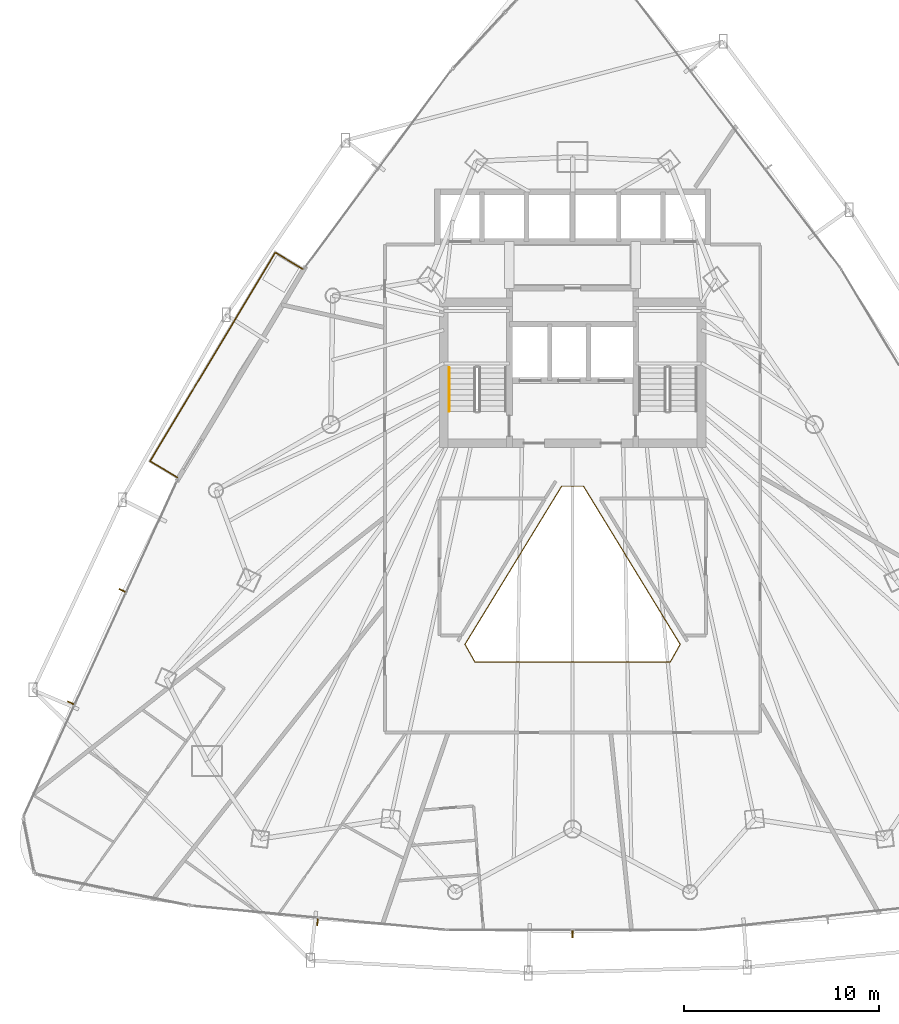
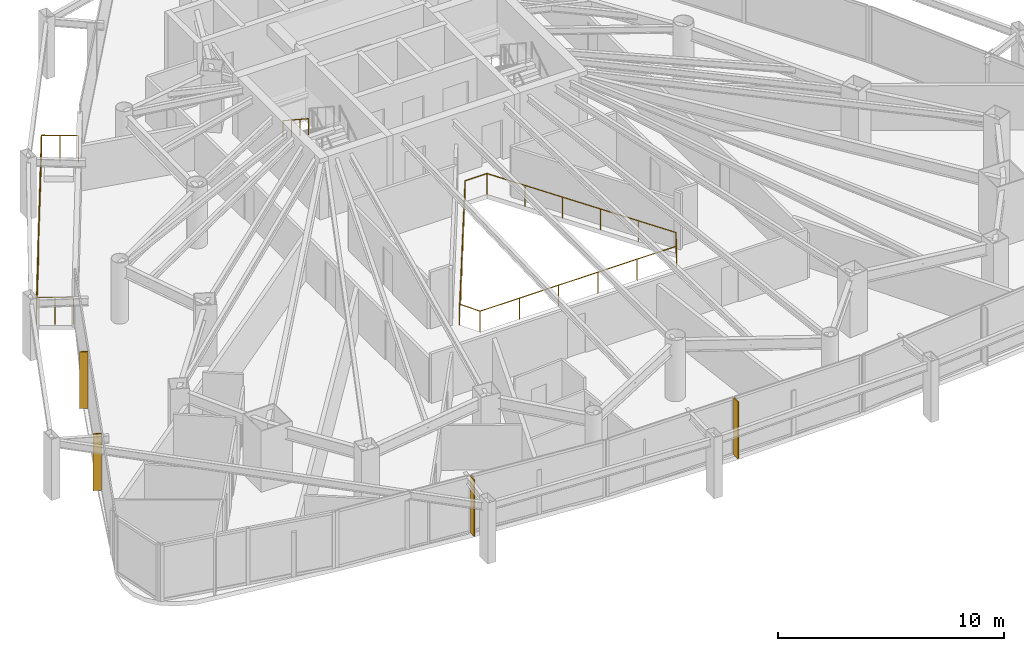
# One storey, part 34 of 37: 4 shading devices, 3 railings.
"""IFC4 building model written with IfcOpenShell, lengths in metres."""

from ifc_helpers import new_model, si_unit, direction, frame, origin, origin_2d, place, context, subcontext, project, spatial, rectangle, circle, extrude, material, layer, layer_set, type_object, element, save


model = new_model("IFC4")

# Units and contexts
model_context = context("Model", 3, precision=1e-05, world=origin(), true_north=direction((0.0, 1.0)))
body_context = subcontext(model_context, "Body", "Model", "MODEL_VIEW")
ifc_project = project(units=[si_unit("LENGTHUNIT", "METRE"), si_unit("AREAUNIT", "SQUARE_METRE"), si_unit("VOLUMEUNIT", "CUBIC_METRE"), si_unit("PLANEANGLEUNIT", "RADIAN"), si_unit("MASSUNIT", "GRAM", prefix="KILO")], contexts=[model_context])

# Site, building, storey
site_placement = place(None, origin())
site = spatial("IfcSite", under=ifc_project, at=site_placement, CompositionType="ELEMENT")
building_placement = place(site_placement, origin())
building = spatial("IfcBuilding", under=site, at=building_placement, Name="Orvanel Arch Residences", CompositionType="ELEMENT")
storey_placement = place(building_placement, frame((0.0, 0.0, 53.300048828125)))
storey = spatial("IfcBuildingStorey", under=building, at=storey_placement, Name="L14", CompositionType="ELEMENT", Elevation=53.300048828125)

# Shading devices
ifc_material_1 = material(Name="Bronze-anodised aluminium AA6063-T6", Category="aluminium")
ifc_layer = layer(ifc_material_1, 0.06005859375)
ifc_layer_set = layer_set([ifc_layer], Name="Bronze-anodised aluminium AA6063-T6")
shading_device_type = type_object("IfcShadingDeviceType", Name="FIN-BRZ-380", PredefinedType="USERDEFINED", material=ifc_layer_set)
for number, where, z_axis, x_axis, name in (
    (1, (9.85009765625, 19.111083984375, 0.0), (0.0, 0.0, 1.0), (-0.909236109047, 0.41628079226, 0.0), "L14 Anodised Bronze Mullion FIN 01"),
    (2, (7.2041015625, 13.3291015625, 0.0), (0.0, 0.0, 1.0), (-0.909236109047, 0.41628079226, 0.0), "L14 Anodised Bronze Mullion FIN 02"),
    (3, (19.888916015625, 2.06494140625, 0.0), (0.0, 0.0, 1.0), (-0.094108313319, -0.995561964603, 0.0), "L14 Anodised Bronze Mullion FIN 01"),
    (4, (33.0, 1.443115234375, 0.0), (0.0, 0.0, 1.0), (0.0, -1.0, 0.0), "L14 Anodised Bronze Mullion FIN 01"),
):
    element("IfcShadingDevice", number, at=place(storey_placement, frame(where, z_axis=z_axis, x_axis=x_axis)), inside=storey, type_object=shading_device_type, Name=name, ObjectType="FIN", PredefinedType="USERDEFINED", context=body_context, shape_type="SweptSolid", body=[
        extrude(rectangle(XDim=0.3798828125, YDim=0.06005859375, at=origin_2d()), origin(), (0.0, 0.0, 1.0), 3.06005859375),
    ])

# Railings
railing_type_1 = type_object("IfcRailingType", Name="RL-ATR-1150", PredefinedType="BALUSTRADE", material=ifc_material_1)
railing_1_placement = place(storey_placement, frame((33.56005859375, 24.470947265625, 0.0)))
element("IfcRailing", 5, at=railing_1_placement, inside=storey, type_object=railing_type_1, Name="L14 Atrium Void Protective Balustrade", PredefinedType="BALUSTRADE", context=body_context, shape_type="SweptSolid", body=[
    extrude(circle(Radius=0.02392578125, at=origin_2d()), frame((-0.00146484375, 0.0, 1.1259765625), z_axis=(-1.0, 0.0, 0.0), x_axis=(0.0, -1.0, 0.0)), (0.0, 0.0, 1.0), 1.1171875),
    extrude(circle(Radius=0.02392578125, at=origin_2d()), frame((-1.120849609375, -0.001220703125, 1.1259765625), z_axis=(-0.521597201644, -0.853191865431, 0.0), x_axis=(0.853191865431, -0.521597201644, 0.0)), (0.0, 0.0, 1.0), 9.5234375),
    extrude(circle(Radius=0.02392578125, at=origin_2d()), frame((-6.08837890625, -8.129150390625, 1.1259765625), z_axis=(0.489070015854, -0.8722445297, 0.0), x_axis=(0.8722445297, 0.489070015854, 0.0)), (0.0, 0.0, 1.0), 1.04833984375),
    extrude(circle(Radius=0.02392578125, at=origin_2d()), frame((-5.573486328125, -9.044921875, 1.1259765625), z_axis=(1.0, 0.0, 0.0), x_axis=(0.0, 1.0, 0.0)), (0.0, 0.0, 1.0), 10.02685546875),
    extrude(circle(Radius=0.02392578125, at=origin_2d()), frame((4.45556640625, -9.043701171875, 1.1259765625), z_axis=(0.489070015854, 0.8722445297, 0.0), x_axis=(-0.8722445297, 0.489070015854, 0.0)), (0.0, 0.0, 1.0), 1.04833984375),
    extrude(circle(Radius=0.02392578125, at=origin_2d()), frame((4.96826171875, -8.126708984375, 1.1259765625), z_axis=(-0.521597201644, 0.853191865431, 0.0), x_axis=(-0.853191865431, -0.521597201644, 0.0)), (0.0, 0.0, 1.0), 9.5234375),
    extrude(circle(Radius=0.02099609375, at=origin_2d()), origin(), (0.0, 0.0, 1.0), 1.099853515625),
    extrude(circle(Radius=0.02099609375, at=origin_2d()), frame((-1.1201171875, 0.0, 0.0)), (0.0, 0.0, 1.0), 1.099853515625),
    extrude(circle(Radius=0.02099609375, at=origin_2d()), frame((-2.114013671875, -1.62548828125, 0.0)), (0.0, 0.0, 1.0), 1.099853515625),
    extrude(circle(Radius=0.02099609375, at=origin_2d()), frame((-3.107666015625, -3.251220703125, 0.0)), (0.0, 0.0, 1.0), 1.099853515625),
    extrude(circle(Radius=0.02099609375, at=origin_2d()), frame((-4.1015625, -4.876708984375, 0.0)), (0.0, 0.0, 1.0), 1.099853515625),
    extrude(circle(Radius=0.02099609375, at=origin_2d()), frame((-5.09521484375, -6.50244140625, 0.0)), (0.0, 0.0, 1.0), 1.099853515625),
    extrude(circle(Radius=0.02099609375, at=origin_2d()), frame((-6.089111328125, -8.1279296875, 0.0)), (0.0, 0.0, 1.0), 1.099853515625),
    extrude(circle(Radius=0.02099609375, at=origin_2d()), frame((-5.574951171875, -9.044921875, 0.0)), (0.0, 0.0, 1.0), 1.099853515625),
    extrude(circle(Radius=0.02099609375, at=origin_2d()), frame((-3.569091796875, -9.044921875, 0.0)), (0.0, 0.0, 1.0), 1.099853515625),
    extrude(circle(Radius=0.02099609375, at=origin_2d()), frame((-1.56298828125, -9.044921875, 0.0)), (0.0, 0.0, 1.0), 1.099853515625),
    extrude(circle(Radius=0.02099609375, at=origin_2d()), frame((0.44287109375, -9.044921875, 0.0)), (0.0, 0.0, 1.0), 1.099853515625),
    extrude(circle(Radius=0.02099609375, at=origin_2d()), frame((2.448974609375, -9.044921875, 0.0)), (0.0, 0.0, 1.0), 1.099853515625),
    extrude(circle(Radius=0.02099609375, at=origin_2d()), frame((4.454833984375, -9.044921875, 0.0)), (0.0, 0.0, 1.0), 1.099853515625),
    extrude(circle(Radius=0.02099609375, at=origin_2d()), frame((4.968994140625, -8.1279296875, 0.0)), (0.0, 0.0, 1.0), 1.099853515625),
    extrude(circle(Radius=0.02099609375, at=origin_2d()), frame((3.97509765625, -6.50244140625, 0.0)), (0.0, 0.0, 1.0), 1.099853515625),
    extrude(circle(Radius=0.02099609375, at=origin_2d()), frame((2.9814453125, -4.876708984375, 0.0)), (0.0, 0.0, 1.0), 1.099853515625),
    extrude(circle(Radius=0.02099609375, at=origin_2d()), frame((1.987548828125, -3.251220703125, 0.0)), (0.0, 0.0, 1.0), 1.099853515625),
    extrude(circle(Radius=0.02099609375, at=origin_2d()), frame((0.993896484375, -1.62548828125, 0.0)), (0.0, 0.0, 1.0), 1.099853515625),
])
railing_type_2 = type_object("IfcRailingType", Name="RL-BAL-1480", PredefinedType="BALUSTRADE", material=ifc_material_1)
railing_2_placement = place(storey_placement, frame((19.1220703125, 35.64306640625, 0.0)))
element("IfcRailing", 6, at=railing_2_placement, inside=storey, type_object=railing_type_2, Name="L14 Balcony Perimeter Guardrail Face 1", PredefinedType="BALUSTRADE", context=body_context, shape_type="SweptSolid", body=[
    extrude(circle(Radius=0.02392578125, at=origin_2d()), frame((-0.001220703125, 0.000732421875, 1.4560546875), z_axis=(-0.857387817543, 0.514670895164, 0.0), x_axis=(-0.514670895164, -0.857387817543, 0.0)), (0.0, 0.0, 1.0), 1.636962890625),
    extrude(circle(Radius=0.02392578125, at=origin_2d()), frame((-1.40673828125, 0.8427734375, 1.4560546875), z_axis=(-0.514357938037, -0.857575601086, 0.0), x_axis=(0.857575601086, -0.514357938037, 0.0)), (0.0, 0.0, 1.0), 12.502197265625),
    extrude(circle(Radius=0.02392578125, at=origin_2d()), frame((-7.8369140625, -9.880859375, 1.4560546875), z_axis=(0.857545439568, -0.514408222208, 0.0), x_axis=(0.514408222208, 0.857545439568, 0.0)), (0.0, 0.0, 1.0), 1.6376953125),
    extrude(circle(Radius=0.02099609375, at=origin_2d()), origin(), (0.0, 0.0, 1.0), 1.429931640625),
    extrude(circle(Radius=0.02099609375, at=origin_2d()), frame((-0.703125, 0.421875, 0.0)), (0.0, 0.0, 1.0), 1.429931640625),
    extrude(circle(Radius=0.02099609375, at=origin_2d()), frame((-1.406005859375, 0.843994140625, 0.0)), (0.0, 0.0, 1.0), 1.429931640625),
    extrude(circle(Radius=0.02099609375, at=origin_2d()), frame((-1.99072265625, -0.130859375, 0.0)), (0.0, 0.0, 1.0), 1.429931640625),
    extrude(circle(Radius=0.02099609375, at=origin_2d()), frame((-2.575439453125, -1.10595703125, 0.0)), (0.0, 0.0, 1.0), 1.429931640625),
    extrude(circle(Radius=0.02099609375, at=origin_2d()), frame((-3.16015625, -2.080810546875, 0.0)), (0.0, 0.0, 1.0), 1.429931640625),
    extrude(circle(Radius=0.02099609375, at=origin_2d()), frame((-3.744873046875, -3.0556640625, 0.0)), (0.0, 0.0, 1.0), 1.429931640625),
    extrude(circle(Radius=0.02099609375, at=origin_2d()), frame((-4.32958984375, -4.030517578125, 0.0)), (0.0, 0.0, 1.0), 1.429931640625),
    extrude(circle(Radius=0.02099609375, at=origin_2d()), frame((-4.91455078125, -5.005615234375, 0.0)), (0.0, 0.0, 1.0), 1.429931640625),
    extrude(circle(Radius=0.02099609375, at=origin_2d()), frame((-5.499267578125, -5.98046875, 0.0)), (0.0, 0.0, 1.0), 1.429931640625),
    extrude(circle(Radius=0.02099609375, at=origin_2d()), frame((-6.083984375, -6.955322265625, 0.0)), (0.0, 0.0, 1.0), 1.429931640625),
    extrude(circle(Radius=0.02099609375, at=origin_2d()), frame((-6.668701171875, -7.93017578125, 0.0)), (0.0, 0.0, 1.0), 1.429931640625),
    extrude(circle(Radius=0.02099609375, at=origin_2d()), frame((-7.25341796875, -8.9052734375, 0.0)), (0.0, 0.0, 1.0), 1.429931640625),
    extrude(circle(Radius=0.02099609375, at=origin_2d()), frame((-7.838134765625, -9.880126953125, 0.0)), (0.0, 0.0, 1.0), 1.429931640625),
    extrude(circle(Radius=0.02099609375, at=origin_2d()), frame((-7.134765625, -10.30224609375, 0.0)), (0.0, 0.0, 1.0), 1.429931640625),
    extrude(circle(Radius=0.02099609375, at=origin_2d()), frame((-6.43115234375, -10.72412109375, 0.0)), (0.0, 0.0, 1.0), 1.429931640625),
])
ifc_material_2 = material(Name="Structural steel AS/NZS 1163 C350L0 (Grade 350)", Category="steel")
railing_type_3 = type_object("IfcRailingType", Name="RL-STAIR-HAND", PredefinedType="HANDRAIL", material=ifc_material_2)
railing_3_placement = place(storey_placement, frame((26.64990234375, 30.56005859375, 1.833251953125)))
element("IfcRailing", 7, at=railing_3_placement, inside=storey, type_object=railing_type_3, Name="L14 ST-1 stair handrail 2", PredefinedType="HANDRAIL", context=body_context, shape_type="SweptSolid", body=[
    extrude(circle(Radius=0.02392578125, at=origin_2d()), frame((0.0, -0.001220703125, 0.876708984375), z_axis=(0.0, -0.836595146698, 0.547821650285), x_axis=(1.0, 0.0, 0.0)), (0.0, 0.0, 1.0), 2.674560546875),
    extrude(circle(Radius=0.02099609375, at=origin_2d()), origin(), (0.0, 0.0, 1.0), 0.849853515625),
    extrude(circle(Radius=0.02099609375, at=origin_2d()), frame((0.0, -0.74658203125, 0.489013671875)), (0.0, 0.0, 1.0), 0.849853515625),
    extrude(circle(Radius=0.02099609375, at=origin_2d()), frame((0.0, -1.493408203125, 0.977783203125)), (0.0, 0.0, 1.0), 0.849853515625),
    extrude(circle(Radius=0.02099609375, at=origin_2d()), frame((0.0, -2.239990234375, 1.466796875)), (0.0, 0.0, 1.0), 0.849853515625),
])

save(model, "model.ifc")
